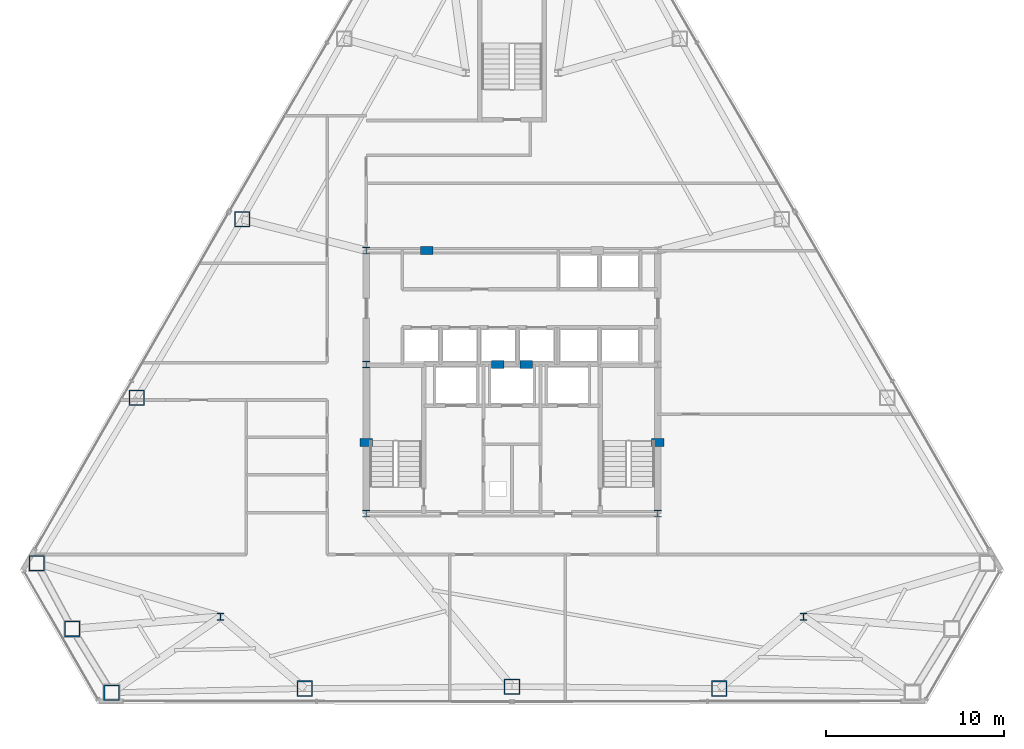
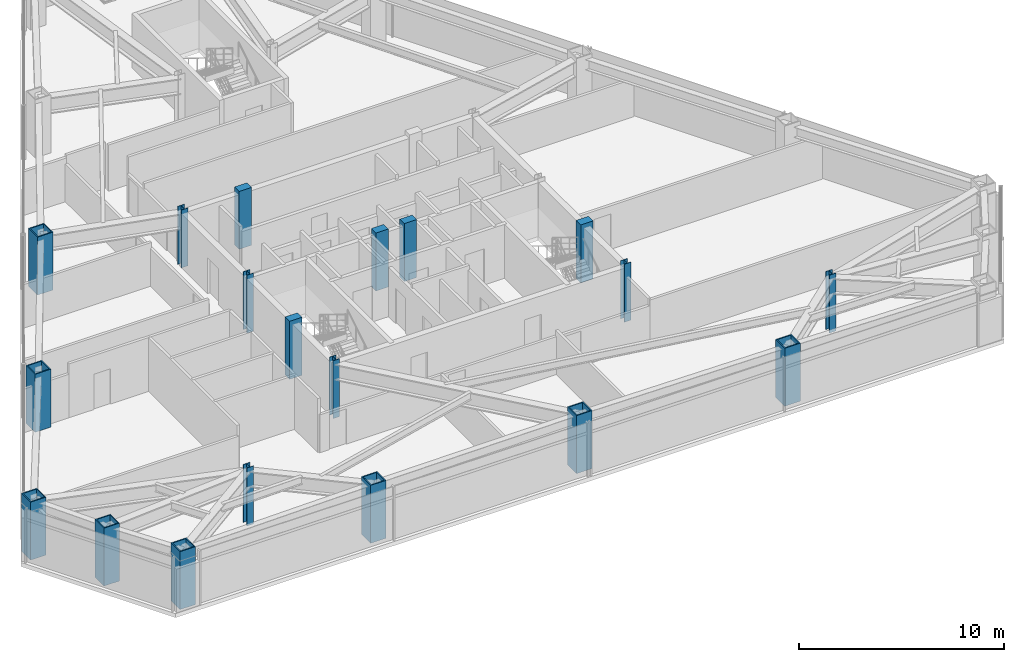
# One storey, part 1 of 13: 19 columns.
"""IFC4 building model written with IfcOpenShell, lengths in metres."""

from ifc_helpers import new_model, si_unit, direction, frame, origin, origin_2d, place, context, subcontext, project, spatial, rectangle, hollow_rectangle, i_section, extrude, material, material_profile, profile_set, type_object, element, save


model = new_model("IFC4")

# Units and contexts
model_context = context("Model", 3, precision=1e-05, world=origin(), true_north=direction((0.0, 1.0)))
body_context = subcontext(model_context, "Body", "Model", "MODEL_VIEW")
ifc_project = project(units=[si_unit("LENGTHUNIT", "METRE"), si_unit("AREAUNIT", "SQUARE_METRE"), si_unit("VOLUMEUNIT", "CUBIC_METRE"), si_unit("PLANEANGLEUNIT", "RADIAN"), si_unit("MASSUNIT", "GRAM", prefix="KILO")], contexts=[model_context])

# Site, building, storey
site_placement = place(None, origin())
site = spatial("IfcSite", under=ifc_project, at=site_placement, CompositionType="ELEMENT")
building_placement = place(site_placement, origin())
building = spatial("IfcBuilding", under=site, at=building_placement, Name="Varakhsha Concourse Tower", CompositionType="ELEMENT")
storey_placement = place(building_placement, frame((0.0, 0.0, 122.89990234375)))
storey = spatial("IfcBuildingStorey", under=building, at=storey_placement, Name="L35", CompositionType="ELEMENT", Elevation=122.89990234375)

# Columns
ifc_material_1 = material(Name="Structural Steel ASTM A992 Grade 50", Category="steel")
ifc_material_profile_1 = material_profile(ifc_material_1, i_section(OverallWidth=0.3740234375, OverallDepth=0.3720703125, WebThickness=0.01611328125, FlangeThickness=0.02587890625, at=origin_2d()), Name="W14X132")
ifc_profile_set_1 = profile_set([ifc_material_profile_1], Name="Structural Steel ASTM A992 Grade 50")
column_type_1 = type_object("IfcColumnType", Name="CL-CORE-W14X132", PredefinedType="COLUMN", material=ifc_profile_set_1)
for number, where, z_axis, x_axis, name in (
    (1, (31.800048828125, 16.39990234375, 0.0), (0.0, 0.0, 1.0), (1.0, 0.0, 0.0), "L35 Core Column CC-SW"),
    (2, (48.199951171875, 16.39990234375, 0.0), (0.0, 0.0, 1.0), (1.0, 0.0, 0.0), "L35 Core Column CC-SE"),
    (3, (31.800048828125, 24.800048828125, 0.0), (0.0, 0.0, 1.0), (1.0, 0.0, 0.0), "L35 Core Column CC-MW"),
    (4, (31.800048828125, 31.199951171875, 0.0), (0.0, 0.0, 1.0), (1.0, 0.0, 0.0), "L35 Core Column CC-NW"),
    (5, (23.60009765625, 10.60009765625, 0.0), (0.0, 0.0, 1.0), (1.0, 0.0, 0.0), "L35 Core Column SS-W"),
    (6, (56.39990234375, 10.60009765625, 0.0), (0.0, 0.0, 1.0), (1.0, 0.0, 0.0), "L35 Core Column SS-E"),
):
    element("IfcColumn", number, at=place(storey_placement, frame(where, z_axis=z_axis, x_axis=x_axis)), inside=storey, type_object=column_type_1, Name=name, PredefinedType="COLUMN", context=body_context, shape_type="SweptSolid", body=[
        extrude(i_section(OverallWidth=0.3740234375, OverallDepth=0.3720703125, WebThickness=0.01611328125, FlangeThickness=0.02587890625, at=origin_2d()), origin(), (0.0, 0.0, 1.0), 3.4501953125),
    ])
ifc_material_2 = material(Name="Concrete fc 65 MPa", Category="concrete")
ifc_material_profile_2 = material_profile(ifc_material_2, rectangle(XDim=0.699951171875, YDim=0.449951171875, at=origin_2d()), Name="RC 700x450")
ifc_profile_set_2 = profile_set([ifc_material_profile_2], Name="Concrete fc 65 MPa")
column_type_2 = type_object("IfcColumnType", Name="CL-PIL-700X450", PredefinedType="PILASTER", material=ifc_profile_set_2)
for number, where, z_axis, x_axis, name in (
    (7, (31.800048828125, 20.39990234375, 0.0), (0.0, 0.0, 1.0), (1.0, 0.0, 0.0), "L35 Core Boundary Pilaster PIL-W1"),
    (8, (48.199951171875, 20.39990234375, 0.0), (0.0, 0.0, 1.0), (1.0, 0.0, 0.0), "L35 Core Boundary Pilaster PIL-E1"),
    (9, (35.199951171875, 31.199951171875, 0.0), (0.0, 0.0, 1.0), (1.0, 0.0, 0.0), "L35 Core Boundary Pilaster PIL-N1"),
    (10, (39.199951171875, 24.800048828125, 0.0), (0.0, 0.0, 1.0), (1.0, 0.0, 0.0), "L35 Core Boundary Pilaster PIL-M1"),
    (11, (40.800048828125, 24.800048828125, 0.0), (0.0, 0.0, 1.0), (1.0, 0.0, 0.0), "L35 Core Boundary Pilaster PIL-M2"),
):
    element("IfcColumn", number, at=place(storey_placement, frame(where, z_axis=z_axis, x_axis=x_axis)), inside=storey, type_object=column_type_2, Name=name, PredefinedType="PILASTER", context=body_context, shape_type="SweptSolid", body=[
        extrude(rectangle(XDim=0.699951171875, YDim=0.449951171875, at=origin_2d()), origin(), (0.0, 0.0, 1.0), 3.4501953125),
    ])
ifc_material_3 = material(Name="Structural Steel ASTM A572 Grade 50", Category="steel")
ifc_material_profile_3 = material_profile(ifc_material_3, hollow_rectangle(XDim=0.8798828125, YDim=0.8798828125, WallThickness=0.06005859375, at=origin_2d()), Name="BOX 880x880x60")
ifc_profile_set_3 = profile_set([ifc_material_profile_3], Name="Structural Steel ASTM A572 Grade 50")
column_type_3 = type_object("IfcColumnType", Name="CL-TUBE-880", PredefinedType="COLUMN", material=ifc_profile_set_3)
for number, where, z_axis, x_axis, name in (
    (12, (24.819580078125, 32.96435546875, 0.0), (0.0, 0.0, 1.0), (1.0, 0.0, 0.0), "L35 Framed-Tube Column TC05"),
    (13, (18.8916015625, 22.919921875, 0.0), (0.0, 0.0, 1.0), (1.0, 0.0, 0.0), "L35 Framed-Tube Column TC06"),
    (14, (13.255126953125, 13.619140625, 0.0), (0.0, 0.0, 1.0), (1.0, 0.0, 0.0), "L35 Framed-Tube Column TC07"),
    (15, (15.2548828125, 9.913330078125, 0.0), (0.0, 0.0, 1.0), (1.0, 0.0, 0.0), "L35 Framed-Tube Column TC08"),
    (16, (17.46435546875, 6.328857421875, 0.0), (0.0, 0.0, 1.0), (1.0, 0.0, 0.0), "L35 Framed-Tube Column TC09"),
    (17, (28.337158203125, 6.5595703125, 0.0), (0.0, 0.0, 1.0), (1.0, 0.0, 0.0), "L35 Framed-Tube Column TC10"),
    (18, (40.0, 6.67138671875, 0.0), (0.0, 0.0, 1.0), (1.0, 0.0, 0.0), "L35 Framed-Tube Column TC11"),
    (19, (51.662841796875, 6.5595703125, 0.0), (0.0, 0.0, 1.0), (1.0, 0.0, 0.0), "L35 Framed-Tube Column TC12"),
):
    element("IfcColumn", number, at=place(storey_placement, frame(where, z_axis=z_axis, x_axis=x_axis)), inside=storey, type_object=column_type_3, Name=name, PredefinedType="COLUMN", context=body_context, shape_type="SweptSolid", body=[
        extrude(hollow_rectangle(XDim=0.8798828125, YDim=0.8798828125, WallThickness=0.06005859375, at=origin_2d()), origin(), (0.0, 0.0, 1.0), 3.4501953125),
    ])

save(model, "model.ifc")
